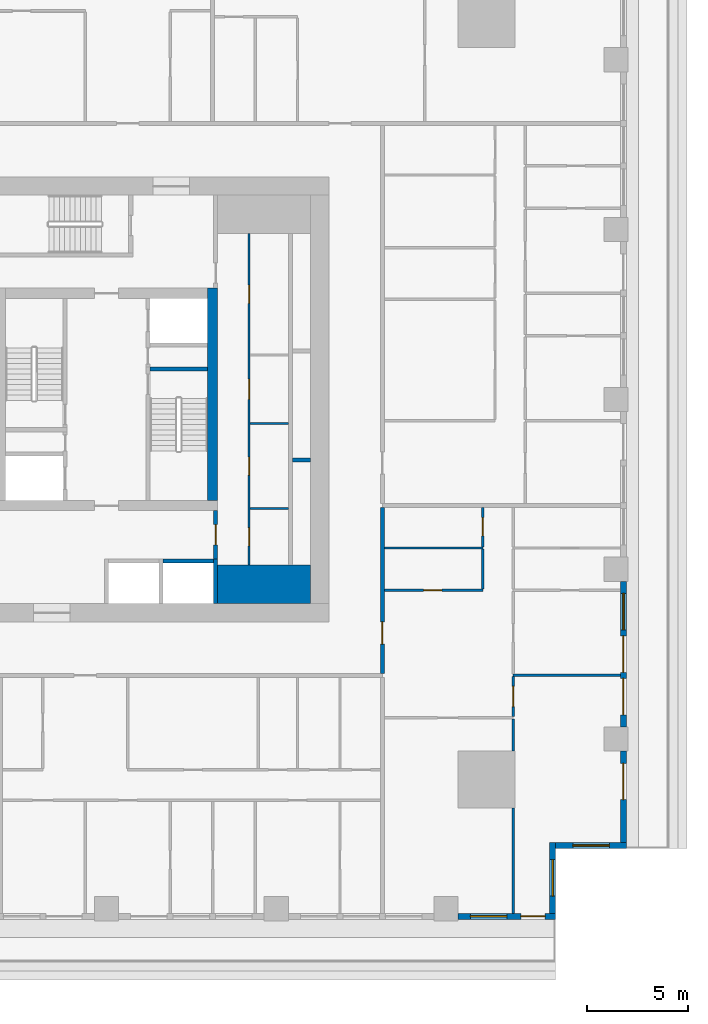
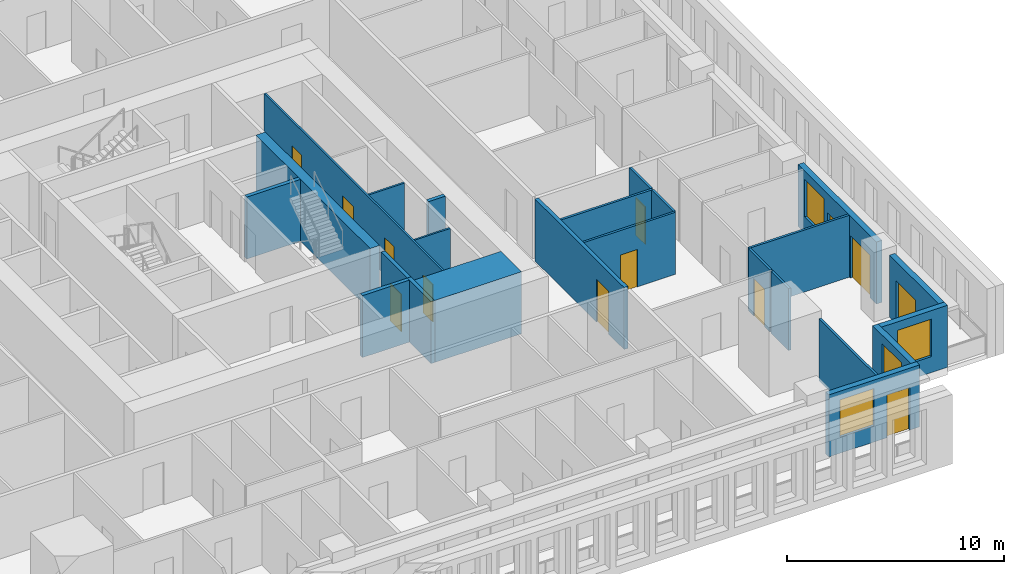
# One storey, part 5 of 15: 24 walls, 13 doors, 4 windows, 17 openings.
"""IFC4 building model written with IfcOpenShell, lengths in metres."""

from ifc_helpers import new_model, si_unit, direction, frame, frame_2d, origin, place, context, subcontext, project, spatial, rectangle, extrude, material, layer, layer_set, type_object, element, fill, save


model = new_model("IFC4")

# Units and contexts
model_context = context("Model", 3, precision=1e-05, world=origin(), true_north=direction((0.0, 1.0)))
body_context = subcontext(model_context, "Body", "Model", "MODEL_VIEW")
ifc_project = project(units=[si_unit("LENGTHUNIT", "METRE"), si_unit("AREAUNIT", "SQUARE_METRE"), si_unit("VOLUMEUNIT", "CUBIC_METRE"), si_unit("PLANEANGLEUNIT", "RADIAN"), si_unit("MASSUNIT", "GRAM", prefix="KILO")], contexts=[model_context])

# Site, building, storey
site_placement = place(None, origin())
site = spatial("IfcSite", under=ifc_project, at=site_placement, CompositionType="ELEMENT")
building_placement = place(site_placement, origin())
building = spatial("IfcBuilding", under=site, at=building_placement, Name="Khepri Terraces", CompositionType="ELEMENT")
storey_placement = place(building_placement, frame((0.0, 0.0, 98.699951171875)))
storey = spatial("IfcBuildingStorey", under=building, at=storey_placement, Name="L23", CompositionType="ELEMENT", Elevation=98.699951171875)

# Walls
ifc_material_1 = material(Name="Concrete C70/85", Category="concrete")
ifc_layer_1 = layer(ifc_material_1, 1.89990234375, Name="Concrete C70/85", Category="concrete")
ifc_layer_set_1 = layer_set([ifc_layer_1], Name="Concrete C70/85")
wall_type_1 = type_object("IfcWallType", Name="Core wall 1900 C70/85", PredefinedType="SHEAR", material=ifc_layer_set_1)
wall_1_placement = place(storey_placement, frame((5.5, -9.14990234375, 0.0), z_axis=(0.0, 0.0, 1.0), x_axis=(1.0, 0.0, 0.0)))
element("IfcWall", 1, at=wall_1_placement, inside=storey, type_object=wall_type_1, Name="Core wall PR02 L23", PredefinedType="SHEAR", context=body_context, shape_type="SweptSolid", body=[
    extrude(rectangle(XDim=4.60009765625, YDim=1.89990234375, at=frame_2d((2.300048828125, 0.0))), origin(), (0.0, 0.0, 1.0), 3.47998046875),
])
ifc_layer_2 = layer(ifc_material_1, 0.199951171875, Name="Concrete C70/85", Category="concrete")
ifc_layer_set_2 = layer_set([ifc_layer_2], Name="Concrete C70/85")
wall_type_2 = type_object("IfcWallType", Name="Core wall 200 C70/85", PredefinedType="SHEAR", material=ifc_layer_set_2)
wall_2_placement = place(storey_placement, frame((2.14990234375, 1.5, 0.0), z_axis=(0.0, 0.0, 1.0), x_axis=(1.0, 0.0, 0.0)))
element("IfcWall", 2, at=wall_2_placement, inside=storey, type_object=wall_type_2, Name="Core wall ST04 L23", PredefinedType="SHEAR", context=body_context, shape_type="SweptSolid", body=[
    extrude(rectangle(XDim=2.85009765625, YDim=0.199951171875, at=frame_2d((1.425048828125, 0.0))), origin(), (0.0, 0.0, 1.0), 3.47998046875),
])
wall_3_placement = place(storey_placement, frame((5.39990234375, -10.10009765625, 0.0), z_axis=(0.0, 0.0, 1.0), x_axis=(0.0, 1.0, 0.0)))
element("IfcWall", 3, at=wall_3_placement, inside=storey, type_object=wall_type_2, Name="Core wall SH03 L23", PredefinedType="SHEAR", context=body_context, shape_type="SweptSolid", body=[
    extrude(rectangle(XDim=2.2001953125, YDim=0.199951171875, at=frame_2d((1.10009765625, 0.0))), origin(), (0.0, 0.0, 1.0), 3.47998046875),
])
wall_4_placement = place(storey_placement, frame((2.800048828125, -8.0, 0.0), z_axis=(0.0, 0.0, 1.0), x_axis=(1.0, 0.0, 0.0)))
element("IfcWall", 4, at=wall_4_placement, inside=storey, type_object=wall_type_2, Name="Core wall SH07 L23", PredefinedType="SHEAR", context=body_context, shape_type="SweptSolid", body=[
    extrude(rectangle(XDim=2.5, YDim=0.199951171875, at=frame_2d((1.25, 0.0))), origin(), (0.0, 0.0, 1.0), 3.47998046875),
])
wall_5_placement = place(storey_placement, frame((9.199951171875, -3.0, 0.0), z_axis=(0.0, 0.0, 1.0), x_axis=(1.0, 0.0, 0.0)))
element("IfcWall", 5, at=wall_5_placement, inside=storey, type_object=wall_type_2, Name="Core wall SH11 L23", PredefinedType="SHEAR", context=body_context, shape_type="SweptSolid", body=[
    extrude(rectangle(XDim=0.900146484375, YDim=0.199951171875, at=frame_2d((0.4501953125, 0.0))), origin(), (0.0, 0.0, 1.0), 3.47998046875),
])
ifc_layer_3 = layer(ifc_material_1, 0.5, Name="Concrete C70/85", Category="concrete")
ifc_layer_set_3 = layer_set([ifc_layer_3], Name="Concrete C70/85")
wall_type_3 = type_object("IfcWallType", Name="Core wall 500 C70/85", PredefinedType="SHEAR", material=ifc_layer_set_3)
wall_6_placement = place(storey_placement, frame((5.25, -5.0, 0.0), z_axis=(0.0, 0.0, 1.0), x_axis=(0.0, 1.0, 0.0)))
element("IfcWall", 6, at=wall_6_placement, inside=storey, type_object=wall_type_3, Name="Core wall BX03 L23", PredefinedType="SHEAR", context=body_context, shape_type="SweptSolid", body=[
    extrude(rectangle(XDim=10.5, YDim=0.5, at=frame_2d((5.25, 0.0))), origin(), (0.0, 0.0, 1.0), 3.47998046875),
])

# Wall, openings, doors
ifc_material_2 = material(Name="Fire-rated gypsum board partition")
ifc_layer_4 = layer(ifc_material_2, 0.10009765625, Name="Fire-rated gypsum board partition")
ifc_layer_set_4 = layer_set([ifc_layer_4], Name="Fire-rated gypsum board partition")
wall_type_4 = type_object("IfcWallType", Name="WL-CORE-PART-100", PredefinedType="PARTITIONING", material=ifc_layer_set_4)
wall_7_placement = place(storey_placement, frame((7.050048828125, -8.199951171875, 0.0), z_axis=(0.0, 0.0, 1.0), x_axis=(0.0, 1.0, 0.0)))
wall_7 = element("IfcWall", 7, at=wall_7_placement, inside=storey, type_object=wall_type_4, Name="Core partition PT02 L23", PredefinedType="PARTITIONING", context=body_context, shape_type="SweptSolid", body=[
    extrude(rectangle(XDim=16.39990234375, YDim=0.10009765625, at=frame_2d((8.199951171875, 0.0))), origin(), (0.0, 0.0, 1.0), 3.47998046875),
])
opening_1_placement = place(wall_7_placement, frame((0.949951171875, 0.0, 0.0)))
opening_1 = element("IfcOpeningElement", 8, at=opening_1_placement, cuts=wall_7, Name="Opening L23-C22", PredefinedType="OPENING", context=body_context, shape_type="SweptSolid", body=[
    extrude(rectangle(XDim=0.89990234375, YDim=2.10009765625, at=frame_2d((0.449951171875, 1.050048828125))), frame((0.0, 0.06005859375, 0.0), z_axis=(0.0, -1.0, 0.0), x_axis=(1.0, 0.0, 0.0)), (0.0, 0.0, 1.0), 0.1201171875),
])
opening_2_placement = place(wall_7_placement, frame((4.449951171875, 0.0, 0.0)))
opening_2 = element("IfcOpeningElement", 9, at=opening_2_placement, cuts=wall_7, Name="Opening L23-C23", PredefinedType="OPENING", context=body_context, shape_type="SweptSolid", body=[
    extrude(rectangle(XDim=0.89990234375, YDim=2.10009765625, at=frame_2d((0.449951171875, 1.050048828125))), frame((0.0, 0.06005859375, 0.0), z_axis=(0.0, -1.0, 0.0), x_axis=(1.0, 0.0, 0.0)), (0.0, 0.0, 1.0), 0.1201171875),
])
opening_3_placement = place(wall_7_placement, frame((8.199951171875, 0.0, 0.0)))
opening_3 = element("IfcOpeningElement", 10, at=opening_3_placement, cuts=wall_7, Name="Opening L23-C24", PredefinedType="OPENING", context=body_context, shape_type="SweptSolid", body=[
    extrude(rectangle(XDim=1.0, YDim=2.10009765625, at=frame_2d((0.5, 1.050048828125))), frame((0.0, 0.06005859375, 0.0), z_axis=(0.0, -1.0, 0.0), x_axis=(1.0, 0.0, 0.0)), (0.0, 0.0, 1.0), 0.1201171875),
])
opening_4_placement = place(wall_7_placement, frame((12.949951171875, 0.0, 0.0)))
opening_4 = element("IfcOpeningElement", 11, at=opening_4_placement, cuts=wall_7, Name="Opening L23-C25", PredefinedType="OPENING", context=body_context, shape_type="SweptSolid", body=[
    extrude(rectangle(XDim=0.89990234375, YDim=2.10009765625, at=frame_2d((0.449951171875, 1.050048828125))), frame((0.0, 0.06005859375, 0.0), z_axis=(0.0, -1.0, 0.0), x_axis=(1.0, 0.0, 0.0)), (0.0, 0.0, 1.0), 0.1201171875),
])
ifc_material_3 = material(Name="Painted steel", Category="steel")
door_type_1 = type_object("IfcDoorType", Name="DR-CORE-SERVICE-900", OperationType="NOTDEFINED", PredefinedType="DOOR", material=ifc_material_3)
door_1_placement = place(opening_1_placement, frame((0.89990234375, 0.0, 0.0), z_axis=(0.0, 0.0, 1.0), x_axis=(-1.0, 0.0, 0.0)))
door_1 = element("IfcDoor", 12, at=door_1_placement, inside=storey, type_object=door_type_1, Name="Service room door L23-C22", OperationType="SINGLE_SWING_RIGHT", OverallHeight=2.10009765625, OverallWidth=0.89990234375, PredefinedType="DOOR", context=body_context, shape_type="SweptSolid", body=[
    extrude(rectangle(XDim=0.89990234375, YDim=2.10009765625, at=frame_2d((0.449951171875, 1.050048828125))), frame((0.0, 0.02490234375, 0.0), z_axis=(0.0, -1.0, 0.0), x_axis=(1.0, 0.0, 0.0)), (0.0, 0.0, 1.0), 0.050048828125),
])
fill(opening_1, door_1)
door_2_placement = place(opening_2_placement, frame((0.89990234375, 0.0, 0.0), z_axis=(0.0, 0.0, 1.0), x_axis=(-1.0, 0.0, 0.0)))
door_2 = element("IfcDoor", 13, at=door_2_placement, inside=storey, type_object=door_type_1, Name="Service room door L23-C23", OperationType="SINGLE_SWING_RIGHT", OverallHeight=2.10009765625, OverallWidth=0.89990234375, PredefinedType="DOOR", context=body_context, shape_type="SweptSolid", body=[
    extrude(rectangle(XDim=0.89990234375, YDim=2.10009765625, at=frame_2d((0.449951171875, 1.050048828125))), frame((0.0, 0.02490234375, 0.0), z_axis=(0.0, -1.0, 0.0), x_axis=(1.0, 0.0, 0.0)), (0.0, 0.0, 1.0), 0.050048828125),
])
fill(opening_2, door_2)
door_3_placement = place(opening_4_placement, frame((0.89990234375, 0.0, 0.0), z_axis=(0.0, 0.0, 1.0), x_axis=(-1.0, 0.0, 0.0)))
door_3 = element("IfcDoor", 14, at=door_3_placement, inside=storey, type_object=door_type_1, Name="Service room door L23-C25", OperationType="SINGLE_SWING_LEFT", OverallHeight=2.10009765625, OverallWidth=0.89990234375, PredefinedType="DOOR", context=body_context, shape_type="SweptSolid", body=[
    extrude(rectangle(XDim=0.89990234375, YDim=2.10009765625, at=frame_2d((0.449951171875, 1.050048828125))), frame((0.0, 0.02490234375, 0.0), z_axis=(0.0, -1.0, 0.0), x_axis=(1.0, 0.0, 0.0)), (0.0, 0.0, 1.0), 0.050048828125),
])
fill(opening_4, door_3)
ifc_material_4 = material(Name="Timber veneer", Category="wood")
door_type_2 = type_object("IfcDoorType", Name="DR-CORE-WC-1000", OperationType="NOTDEFINED", PredefinedType="DOOR", material=ifc_material_4)
door_4_placement = place(opening_3_placement, frame((1.0, 0.0, 0.0), z_axis=(0.0, 0.0, 1.0), x_axis=(-1.0, 0.0, 0.0)))
door_4 = element("IfcDoor", 15, at=door_4_placement, inside=storey, type_object=door_type_2, Name="WC door L23-C24", OperationType="SINGLE_SWING_LEFT", OverallHeight=2.10009765625, OverallWidth=1.0, PredefinedType="DOOR", context=body_context, shape_type="SweptSolid", body=[
    extrude(rectangle(XDim=1.0, YDim=2.10009765625, at=frame_2d((0.5, 1.050048828125))), frame((0.0, 0.02490234375, 0.0), z_axis=(0.0, -1.0, 0.0), x_axis=(1.0, 0.0, 0.0)), (0.0, 0.0, 1.0), 0.050048828125),
])
fill(opening_3, door_4)

# Walls
for number, where, z_axis, x_axis, name in (
    (16, (7.10009765625, -5.39990234375, 0.0), (0.0, 0.0, 1.0), (1.0, 0.0, 0.0), "Core partition PT04 L23"),
    (17, (7.10009765625, -1.199951171875, 0.0), (0.0, 0.0, 1.0), (1.0, 0.0, 0.0), "Core partition PT05 L23"),
):
    element("IfcWall", number, at=place(storey_placement, frame(where, z_axis=z_axis, x_axis=x_axis)), inside=storey, type_object=wall_type_4, Name=name, PredefinedType="PARTITIONING", context=body_context, shape_type="SweptSolid", body=[
        extrude(rectangle(XDim=1.89990234375, YDim=0.10009765625, at=frame_2d((0.949951171875, 0.0))), origin(), (0.0, 0.0, 1.0), 3.47998046875),
    ])

# Wall, opening, door
ifc_layer_5 = layer(ifc_material_2, 0.199951171875, Name="Fire-rated gypsum board partition")
ifc_layer_set_5 = layer_set([ifc_layer_5], Name="Fire-rated gypsum board partition")
wall_type_5 = type_object("IfcWallType", Name="WL-CORE-PART-200", PredefinedType="PARTITIONING", material=ifc_layer_set_5)
wall_8_placement = place(storey_placement, frame((5.39990234375, -7.89990234375, 0.0), z_axis=(0.0, 0.0, 1.0), x_axis=(0.0, 1.0, 0.0)))
wall_8 = element("IfcWall", 18, at=wall_8_placement, inside=storey, type_object=wall_type_5, Name="Core partition PT03 L23", PredefinedType="PARTITIONING", context=body_context, shape_type="SweptSolid", body=[
    extrude(rectangle(XDim=2.39990234375, YDim=0.199951171875, at=frame_2d((1.199951171875, 0.0))), origin(), (0.0, 0.0, 1.0), 3.47998046875),
])
opening_5_placement = place(wall_8_placement, frame((0.699951171875, 0.0, 0.0)))
opening_5 = element("IfcOpeningElement", 19, at=opening_5_placement, cuts=wall_8, Name="Opening L23-C19", PredefinedType="OPENING", context=body_context, shape_type="SweptSolid", body=[
    extrude(rectangle(XDim=1.0, YDim=2.10009765625, at=frame_2d((0.5, 1.050048828125))), frame((0.0, 0.10986328125, 0.0), z_axis=(0.0, -1.0, 0.0), x_axis=(1.0, 0.0, 0.0)), (0.0, 0.0, 1.0), 0.219970703125),
])
door_type_3 = type_object("IfcDoorType", Name="DR-CORE-LOBBY-1000", OperationType="NOTDEFINED", PredefinedType="DOOR", material=ifc_material_3)
door_5_placement = place(opening_5_placement, origin())
door_5 = element("IfcDoor", 20, at=door_5_placement, inside=storey, type_object=door_type_3, Name="Lobby door L23-C19", OperationType="SINGLE_SWING_RIGHT", OverallHeight=2.10009765625, OverallWidth=1.0, PredefinedType="DOOR", context=body_context, shape_type="SweptSolid", body=[
    extrude(rectangle(XDim=1.0, YDim=2.10009765625, at=frame_2d((0.5, 1.050048828125))), frame((0.0, 0.02490234375, 0.0), z_axis=(0.0, -1.0, 0.0), x_axis=(1.0, 0.0, 0.0)), (0.0, 0.0, 1.0), 0.050048828125),
])
fill(opening_5, door_5)

ifc_material_5 = material(Name="Fire-rated gypsum plasterboard partition, mineral wool")
ifc_layer_6 = layer(ifc_material_5, 0.199951171875, Name="Fire-rated gypsum plasterboard partition, mineral wool")
ifc_layer_set_6 = layer_set([ifc_layer_6], Name="Fire-rated gypsum plasterboard partition, mineral wool")
wall_type_6 = type_object("IfcWallType", Name="WL-CORR-200", PredefinedType="PARTITIONING", material=ifc_layer_set_6)
wall_9_placement = place(storey_placement, frame((13.64990234375, -13.550048828125, 0.0), z_axis=(0.0, 0.0, 1.0), x_axis=(0.0, 1.0, 0.0)))
wall_9 = element("IfcWall", 21, at=wall_9_placement, inside=storey, type_object=wall_type_6, Name="Partition P-035 L23", PredefinedType="PARTITIONING", context=body_context, shape_type="SweptSolid", body=[
    extrude(rectangle(XDim=8.199951171875, YDim=0.199951171875, at=frame_2d((4.10009765625, 0.0))), origin(), (0.0, 0.0, 1.0), 3.47998046875),
])
opening_6_placement = place(wall_9_placement, frame((1.449951171875, 0.0, 0.0)))
opening_6 = element("IfcOpeningElement", 22, at=opening_6_placement, cuts=wall_9, Name="Opening D1", PredefinedType="OPENING", context=body_context, shape_type="SweptSolid", body=[
    extrude(rectangle(XDim=1.10009765625, YDim=2.39990234375, at=frame_2d((0.550048828125, 1.199951171875))), frame((0.0, 0.10986328125, 0.0), z_axis=(0.0, -1.0, 0.0), x_axis=(1.0, 0.0, 0.0)), (0.0, 0.0, 1.0), 0.219970703125),
])
ifc_material_6 = material(Name="Solid-core timber door leaf, flat entrance door", Category="wood")
door_type_4 = type_object("IfcDoorType", Name="DR-ENT-1100", OperationType="NOTDEFINED", PredefinedType="DOOR", material=ifc_material_6)
door_6_placement = place(opening_6_placement, frame((1.10009765625, 0.0, 0.0), z_axis=(0.0, 0.0, 1.0), x_axis=(-1.0, 0.0, 0.0)))
door_6 = element("IfcDoor", 23, at=door_6_placement, inside=storey, type_object=door_type_4, Name="Flat B1 entrance door", OperationType="SINGLE_SWING_RIGHT", OverallHeight=2.39990234375, OverallWidth=1.10009765625, PredefinedType="DOOR", context=body_context, shape_type="SweptSolid", body=[
    extrude(rectangle(XDim=1.10009765625, YDim=2.39990234375, at=frame_2d((0.550048828125, 1.199951171875))), frame((0.0, 0.02490234375, 0.0), z_axis=(0.0, -1.0, 0.0), x_axis=(1.0, 0.0, 0.0)), (0.0, 0.0, 1.0), 0.050048828125),
])
fill(opening_6, door_6)

# Wall, opening, window
ifc_material_7 = material(Name="Precast concrete C50/60 warm stone", Category="masonry")
ifc_layer_7 = layer(ifc_material_7, 0.300048828125, Name="Precast concrete C50/60 warm stone", Category="masonry")
ifc_layer_set_7 = layer_set([ifc_layer_7], Name="Precast concrete C50/60 warm stone")
wall_type_7 = type_object("IfcWallType", Name="WL-EXT-PRECAST-300", PredefinedType="STANDARD", material=ifc_layer_set_7)
wall_10_placement = place(storey_placement, frame((22.219970703125, -22.070068359375, 0.0), z_axis=(0.0, 0.0, 1.0), x_axis=(1.0, 0.0, 0.0)))
wall_10 = element("IfcWall", 24, at=wall_10_placement, inside=storey, type_object=wall_type_7, Name="External wall L23 S", PredefinedType="STANDARD", context=body_context, shape_type="SweptSolid", body=[
    extrude(rectangle(XDim=3.5, YDim=0.300048828125, at=frame_2d((1.75, 0.0))), origin(), (0.0, 0.0, 1.0), 3.47998046875),
])
opening_7_placement = place(wall_10_placement, frame((0.85009765625, 0.0, 0.89990234375)))
opening_7 = element("IfcOpeningElement", 25, at=opening_7_placement, cuts=wall_10, Name="Opening W1", PredefinedType="OPENING", context=body_context, shape_type="SweptSolid", body=[
    extrude(rectangle(XDim=1.800048828125, YDim=2.10009765625, at=frame_2d((0.89990234375, 1.050048828125))), frame((0.0, 0.16015625, 0.0), z_axis=(0.0, -1.0, 0.0), x_axis=(1.0, 0.0, 0.0)), (0.0, 0.0, 1.0), 0.320068359375),
])
ifc_material_8 = material(Name="Clear glass", Category="glass")
window_type = type_object("IfcWindowType", Name="WIN-RES-1800x2100", PartitioningType="SINGLE_PANEL", PredefinedType="WINDOW", material=ifc_material_8)
window_1_placement = place(opening_7_placement, origin())
window_1 = element("IfcWindow", 26, at=window_1_placement, inside=storey, type_object=window_type, Name="Window L23 S", OverallHeight=2.10009765625, OverallWidth=1.800048828125, PartitioningType="SINGLE_PANEL", PredefinedType="WINDOW", context=body_context, shape_type="SweptSolid", body=[
    extrude(rectangle(XDim=1.800048828125, YDim=2.10009765625, at=frame_2d((0.89990234375, 1.050048828125))), frame((0.0, 0.030029296875, 0.0), z_axis=(0.0, -1.0, 0.0), x_axis=(1.0, 0.0, 0.0)), (0.0, 0.0, 1.0), 0.06005859375),
])
fill(opening_7, window_1)

# Wall, opening, door
wall_11_placement = place(storey_placement, frame((25.570068359375, -21.919921875, 0.0), z_axis=(0.0, 0.0, 1.0), x_axis=(0.0, 1.0, 0.0)))
wall_11 = element("IfcWall", 27, at=wall_11_placement, inside=storey, type_object=wall_type_7, Name="External wall L23 E", PredefinedType="STANDARD", context=body_context, shape_type="SweptSolid", body=[
    extrude(rectangle(XDim=4.52001953125, YDim=0.300048828125, at=frame_2d((2.260009765625, 0.0))), origin(), (0.0, 0.0, 1.0), 3.47998046875),
])
opening_8_placement = place(wall_11_placement, frame((2.1201171875, 0.0, 0.0)))
opening_8 = element("IfcOpeningElement", 28, at=opening_8_placement, cuts=wall_11, Name="Opening ED-L23-01", PredefinedType="OPENING", context=body_context, shape_type="SweptSolid", body=[
    extrude(rectangle(XDim=1.800048828125, YDim=2.39990234375, at=frame_2d((0.89990234375, 1.199951171875))), frame((0.0, 0.16015625, 0.0), z_axis=(0.0, -1.0, 0.0), x_axis=(1.0, 0.0, 0.0)), (0.0, 0.0, 1.0), 0.320068359375),
])
ifc_material_9 = material(Name="Anodised aluminium bronze glazed door", Category="aluminium")
door_type_5 = type_object("IfcDoorType", Name="DR-BAL-SLIDE-1800x2400", OperationType="NOTDEFINED", PredefinedType="DOOR", material=ifc_material_9)
door_7_placement = place(opening_8_placement, origin())
door_7 = element("IfcDoor", 29, at=door_7_placement, inside=storey, type_object=door_type_5, Name="Balcony door L23 E", OperationType="SLIDING_TO_RIGHT", OverallHeight=2.39990234375, OverallWidth=1.800048828125, PredefinedType="DOOR", context=body_context, shape_type="SweptSolid", body=[
    extrude(rectangle(XDim=1.800048828125, YDim=2.39990234375, at=frame_2d((0.89990234375, 1.199951171875))), frame((0.0, 0.02490234375, 0.0), z_axis=(0.0, -1.0, 0.0), x_axis=(1.0, 0.0, 0.0)), (0.0, 0.0, 1.0), 0.050048828125),
])
fill(opening_8, door_7)

# Wall, openings, doors, window
wall_12_placement = place(storey_placement, frame((25.570068359375, -16.199951171875, 0.0), z_axis=(0.0, 0.0, 1.0), x_axis=(0.0, 1.0, 0.0)))
wall_12 = element("IfcWall", 30, at=wall_12_placement, inside=storey, type_object=wall_type_7, Name="External wall L23 E", PredefinedType="STANDARD", context=body_context, shape_type="SweptSolid", body=[
    extrude(rectangle(XDim=7.199951171875, YDim=0.300048828125, at=frame_2d((3.60009765625, 0.0))), origin(), (0.0, 0.0, 1.0), 3.47998046875),
])
opening_9_placement = place(wall_12_placement, frame((0.60009765625, 0.0, 0.0)))
opening_9 = element("IfcOpeningElement", 31, at=opening_9_placement, cuts=wall_12, Name="Opening ED-L23-02", PredefinedType="OPENING", context=body_context, shape_type="SweptSolid", body=[
    extrude(rectangle(XDim=1.800048828125, YDim=2.39990234375, at=frame_2d((0.89990234375, 1.199951171875))), frame((0.0, 0.16015625, 0.0), z_axis=(0.0, -1.0, 0.0), x_axis=(1.0, 0.0, 0.0)), (0.0, 0.0, 1.0), 0.320068359375),
])
opening_10_placement = place(wall_12_placement, frame((2.699951171875, 0.0, 0.0)))
opening_10 = element("IfcOpeningElement", 32, at=opening_10_placement, cuts=wall_12, Name="Opening ED-L23-03", PredefinedType="OPENING", context=body_context, shape_type="SweptSolid", body=[
    extrude(rectangle(XDim=1.800048828125, YDim=2.39990234375, at=frame_2d((0.89990234375, 1.199951171875))), frame((0.0, 0.16015625, 0.0), z_axis=(0.0, -1.0, 0.0), x_axis=(1.0, 0.0, 0.0)), (0.0, 0.0, 1.0), 0.320068359375),
])
opening_11_placement = place(wall_12_placement, frame((4.800048828125, 0.0, 0.89990234375)))
opening_11 = element("IfcOpeningElement", 33, at=opening_11_placement, cuts=wall_12, Name="Opening W1", PredefinedType="OPENING", context=body_context, shape_type="SweptSolid", body=[
    extrude(rectangle(XDim=1.800048828125, YDim=2.10009765625, at=frame_2d((0.89990234375, 1.050048828125))), frame((0.0, 0.16015625, 0.0), z_axis=(0.0, -1.0, 0.0), x_axis=(1.0, 0.0, 0.0)), (0.0, 0.0, 1.0), 0.320068359375),
])
door_8_placement = place(opening_9_placement, origin())
door_8 = element("IfcDoor", 34, at=door_8_placement, inside=storey, type_object=door_type_5, Name="Balcony door L23 E", OperationType="SLIDING_TO_LEFT", OverallHeight=2.39990234375, OverallWidth=1.800048828125, PredefinedType="DOOR", context=body_context, shape_type="SweptSolid", body=[
    extrude(rectangle(XDim=1.800048828125, YDim=2.39990234375, at=frame_2d((0.89990234375, 1.199951171875))), frame((0.0, 0.02490234375, 0.0), z_axis=(0.0, -1.0, 0.0), x_axis=(1.0, 0.0, 0.0)), (0.0, 0.0, 1.0), 0.050048828125),
])
fill(opening_9, door_8)
door_9_placement = place(opening_10_placement, origin())
door_9 = element("IfcDoor", 35, at=door_9_placement, inside=storey, type_object=door_type_5, Name="Balcony door L23 E", OperationType="SLIDING_TO_RIGHT", OverallHeight=2.39990234375, OverallWidth=1.800048828125, PredefinedType="DOOR", context=body_context, shape_type="SweptSolid", body=[
    extrude(rectangle(XDim=1.800048828125, YDim=2.39990234375, at=frame_2d((0.89990234375, 1.199951171875))), frame((0.0, 0.02490234375, 0.0), z_axis=(0.0, -1.0, 0.0), x_axis=(1.0, 0.0, 0.0)), (0.0, 0.0, 1.0), 0.050048828125),
])
fill(opening_10, door_9)
window_2_placement = place(opening_11_placement, origin())
window_2 = element("IfcWindow", 36, at=window_2_placement, inside=storey, type_object=window_type, Name="Window L23 E", OverallHeight=2.10009765625, OverallWidth=1.800048828125, PartitioningType="SINGLE_PANEL", PredefinedType="WINDOW", context=body_context, shape_type="SweptSolid", body=[
    extrude(rectangle(XDim=1.800048828125, YDim=2.10009765625, at=frame_2d((0.89990234375, 1.050048828125))), frame((0.0, 0.030029296875, 0.0), z_axis=(0.0, -1.0, 0.0), x_axis=(1.0, 0.0, 0.0)), (0.0, 0.0, 1.0), 0.06005859375),
])
fill(opening_11, window_2)

# Wall, openings, door, window
wall_13_placement = place(storey_placement, frame((17.39990234375, -25.570068359375, 0.0), z_axis=(0.0, 0.0, 1.0), x_axis=(1.0, 0.0, 0.0)))
wall_13 = element("IfcWall", 37, at=wall_13_placement, inside=storey, type_object=wall_type_7, Name="External wall L23 S", PredefinedType="STANDARD", context=body_context, shape_type="SweptSolid", body=[
    extrude(rectangle(XDim=4.820068359375, YDim=0.300048828125, at=frame_2d((2.41015625, 0.0))), origin(), (0.0, 0.0, 1.0), 3.47998046875),
])
opening_12_placement = place(wall_13_placement, frame((0.60009765625, 0.0, 0.89990234375)))
opening_12 = element("IfcOpeningElement", 38, at=opening_12_placement, cuts=wall_13, Name="Opening W1", PredefinedType="OPENING", context=body_context, shape_type="SweptSolid", body=[
    extrude(rectangle(XDim=1.800048828125, YDim=2.10009765625, at=frame_2d((0.89990234375, 1.050048828125))), frame((0.0, 0.16015625, 0.0), z_axis=(0.0, -1.0, 0.0), x_axis=(1.0, 0.0, 0.0)), (0.0, 0.0, 1.0), 0.320068359375),
])
opening_13_placement = place(wall_13_placement, frame((3.094970703125, 0.0, 0.0)))
opening_13 = element("IfcOpeningElement", 39, at=opening_13_placement, cuts=wall_13, Name="Opening ED-L23-22", PredefinedType="OPENING", context=body_context, shape_type="SweptSolid", body=[
    extrude(rectangle(XDim=1.199951171875, YDim=2.39990234375, at=frame_2d((0.60009765625, 1.199951171875))), frame((0.0, 0.16015625, 0.0), z_axis=(0.0, -1.0, 0.0), x_axis=(1.0, 0.0, 0.0)), (0.0, 0.0, 1.0), 0.320068359375),
])
door_type_6 = type_object("IfcDoorType", Name="DR-BAL-SLIDE-1200x2400", OperationType="NOTDEFINED", PredefinedType="DOOR", material=ifc_material_9)
door_10_placement = place(opening_13_placement, origin())
door_10 = element("IfcDoor", 40, at=door_10_placement, inside=storey, type_object=door_type_6, Name="Balcony door L23 S", OperationType="SLIDING_TO_RIGHT", OverallHeight=2.39990234375, OverallWidth=1.199951171875, PredefinedType="DOOR", context=body_context, shape_type="SweptSolid", body=[
    extrude(rectangle(XDim=1.199951171875, YDim=2.39990234375, at=frame_2d((0.60009765625, 1.199951171875))), frame((0.0, 0.02490234375, 0.0), z_axis=(0.0, -1.0, 0.0), x_axis=(1.0, 0.0, 0.0)), (0.0, 0.0, 1.0), 0.050048828125),
])
fill(opening_13, door_10)
window_3_placement = place(opening_12_placement, origin())
window_3 = element("IfcWindow", 41, at=window_3_placement, inside=storey, type_object=window_type, Name="Window L23 S", OverallHeight=2.10009765625, OverallWidth=1.800048828125, PartitioningType="SINGLE_PANEL", PredefinedType="WINDOW", context=body_context, shape_type="SweptSolid", body=[
    extrude(rectangle(XDim=1.800048828125, YDim=2.10009765625, at=frame_2d((0.89990234375, 1.050048828125))), frame((0.0, 0.030029296875, 0.0), z_axis=(0.0, -1.0, 0.0), x_axis=(1.0, 0.0, 0.0)), (0.0, 0.0, 1.0), 0.06005859375),
])
fill(opening_12, window_3)

# Wall, opening, window
wall_14_placement = place(storey_placement, frame((22.070068359375, -25.419921875, 0.0), z_axis=(0.0, 0.0, 1.0), x_axis=(0.0, 1.0, 0.0)))
wall_14 = element("IfcWall", 42, at=wall_14_placement, inside=storey, type_object=wall_type_7, Name="External wall L23 E", PredefinedType="STANDARD", context=body_context, shape_type="SweptSolid", body=[
    extrude(rectangle(XDim=3.5, YDim=0.300048828125, at=frame_2d((1.75, 0.0))), origin(), (0.0, 0.0, 1.0), 3.47998046875),
])
opening_14_placement = place(wall_14_placement, frame((0.85009765625, 0.0, 0.89990234375)))
opening_14 = element("IfcOpeningElement", 43, at=opening_14_placement, cuts=wall_14, Name="Opening W1", PredefinedType="OPENING", context=body_context, shape_type="SweptSolid", body=[
    extrude(rectangle(XDim=1.800048828125, YDim=2.10009765625, at=frame_2d((0.89990234375, 1.050048828125))), frame((0.0, 0.16015625, 0.0), z_axis=(0.0, -1.0, 0.0), x_axis=(1.0, 0.0, 0.0)), (0.0, 0.0, 1.0), 0.320068359375),
])
window_4_placement = place(opening_14_placement, origin())
window_4 = element("IfcWindow", 44, at=window_4_placement, inside=storey, type_object=window_type, Name="Window L23 E", OverallHeight=2.10009765625, OverallWidth=1.800048828125, PartitioningType="SINGLE_PANEL", PredefinedType="WINDOW", context=body_context, shape_type="SweptSolid", body=[
    extrude(rectangle(XDim=1.800048828125, YDim=2.10009765625, at=frame_2d((0.89990234375, 1.050048828125))), frame((0.0, 0.030029296875, 0.0), z_axis=(0.0, -1.0, 0.0), x_axis=(1.0, 0.0, 0.0)), (0.0, 0.0, 1.0), 0.06005859375),
])
fill(opening_14, window_4)

# Walls
ifc_material_10 = material(Name="Gypsum plasterboard partition")
ifc_layer_8 = layer(ifc_material_10, 0.1201171875, Name="Gypsum plasterboard partition")
ifc_layer_set_8 = layer_set([ifc_layer_8], Name="Gypsum plasterboard partition")
wall_type_8 = type_object("IfcWallType", Name="WL-PART-120", PredefinedType="PARTITIONING", material=ifc_layer_set_8)
wall_15_placement = place(storey_placement, frame((20.1201171875, -25.419921875, 0.0), z_axis=(0.0, 0.0, 1.0), x_axis=(0.0, 1.0, 0.0)))
element("IfcWall", 45, at=wall_15_placement, inside=storey, type_object=wall_type_8, Name="Partition P-011 L23", PredefinedType="PARTITIONING", context=body_context, shape_type="SweptSolid", body=[
    extrude(rectangle(XDim=5.219970703125, YDim=0.1201171875, at=frame_2d((2.60986328125, 0.0))), origin(), (0.0, 0.0, 1.0), 3.47998046875),
])
wall_16_placement = place(storey_placement, frame((20.1201171875, -17.39990234375, 0.0), z_axis=(0.0, 0.0, 1.0), x_axis=(0.0, 1.0, 0.0)))
element("IfcWall", 46, at=wall_16_placement, inside=storey, type_object=wall_type_8, Name="Partition P-026 L23", PredefinedType="PARTITIONING", context=body_context, shape_type="SweptSolid", body=[
    extrude(rectangle(XDim=1.58984375, YDim=0.1201171875, at=frame_2d((0.794921875, 0.0))), origin(), (0.0, 0.0, 1.0), 3.47998046875),
])

# Wall, opening, door
wall_17_placement = place(storey_placement, frame((20.1201171875, -15.68994140625, 0.0), z_axis=(0.0, 0.0, 1.0), x_axis=(0.0, 1.0, 0.0)))
wall_17 = element("IfcWall", 47, at=wall_17_placement, inside=storey, type_object=wall_type_8, Name="Partition P-028 L23", PredefinedType="PARTITIONING", context=body_context, shape_type="SweptSolid", body=[
    extrude(rectangle(XDim=1.97998046875, YDim=0.1201171875, at=frame_2d((0.989990234375, 0.0))), origin(), (0.0, 0.0, 1.0), 3.47998046875),
])
opening_15_placement = place(wall_17_placement, frame((0.489990234375, 0.0, 0.0)))
opening_15 = element("IfcOpeningElement", 48, at=opening_15_placement, cuts=wall_17, Name="Opening D2", PredefinedType="OPENING", context=body_context, shape_type="SweptSolid", body=[
    extrude(rectangle(XDim=1.0, YDim=2.10009765625, at=frame_2d((0.5, 1.050048828125))), frame((0.0, 0.070068359375, 0.0), z_axis=(0.0, -1.0, 0.0), x_axis=(1.0, 0.0, 0.0)), (0.0, 0.0, 1.0), 0.14013671875),
])
ifc_material_11 = material(Name="Timber door leaf, living room door", Category="wood")
door_type_7 = type_object("IfcDoorType", Name="DR-INT-1000", OperationType="NOTDEFINED", PredefinedType="DOOR", material=ifc_material_11)
door_11_placement = place(opening_15_placement, frame((1.0, 0.0, 0.0), z_axis=(0.0, 0.0, 1.0), x_axis=(-1.0, 0.0, 0.0)))
door_11 = element("IfcDoor", 49, at=door_11_placement, inside=storey, type_object=door_type_7, Name="Door Living Room", OperationType="SINGLE_SWING_LEFT", OverallHeight=2.10009765625, OverallWidth=1.0, PredefinedType="DOOR", context=body_context, shape_type="SweptSolid", body=[
    extrude(rectangle(XDim=1.0, YDim=2.10009765625, at=frame_2d((0.5, 1.050048828125))), frame((0.0, 0.02490234375, 0.0), z_axis=(0.0, -1.0, 0.0), x_axis=(1.0, 0.0, 0.0)), (0.0, 0.0, 1.0), 0.050048828125),
])
fill(opening_15, door_11)

# Wall
wall_18_placement = place(storey_placement, frame((20.1201171875, -13.64990234375, 0.0), z_axis=(0.0, 0.0, 1.0), x_axis=(1.0, 0.0, 0.0)))
element("IfcWall", 50, at=wall_18_placement, inside=storey, type_object=wall_type_8, Name="Partition P-030 L23", PredefinedType="PARTITIONING", context=body_context, shape_type="SweptSolid", body=[
    extrude(rectangle(XDim=5.2998046875, YDim=0.1201171875, at=frame_2d((2.64990234375, 0.0))), origin(), (0.0, 0.0, 1.0), 3.47998046875),
])

# Wall, opening, door
wall_19_placement = place(storey_placement, frame((13.75, -9.449951171875, 0.0), z_axis=(0.0, 0.0, 1.0), x_axis=(1.0, 0.0, 0.0)))
wall_19 = element("IfcWall", 51, at=wall_19_placement, inside=storey, type_object=wall_type_8, Name="Partition P-038 L23", PredefinedType="PARTITIONING", context=body_context, shape_type="SweptSolid", body=[
    extrude(rectangle(XDim=4.8701171875, YDim=0.1201171875, at=frame_2d((2.43505859375, 0.0))), origin(), (0.0, 0.0, 1.0), 3.47998046875),
])
opening_16_placement = place(wall_19_placement, frame((1.93505859375, 0.0, 0.0)))
opening_16 = element("IfcOpeningElement", 52, at=opening_16_placement, cuts=wall_19, Name="Opening D4", PredefinedType="OPENING", context=body_context, shape_type="SweptSolid", body=[
    extrude(rectangle(XDim=0.89990234375, YDim=2.10009765625, at=frame_2d((0.449951171875, 1.050048828125))), frame((0.0, 0.070068359375, 0.0), z_axis=(0.0, -1.0, 0.0), x_axis=(1.0, 0.0, 0.0)), (0.0, 0.0, 1.0), 0.14013671875),
])
ifc_material_12 = material(Name="Timber door leaf, moisture resistant", Category="wood")
door_type_8 = type_object("IfcDoorType", Name="DR-WET-900", OperationType="NOTDEFINED", PredefinedType="DOOR", material=ifc_material_12)
door_12_placement = place(opening_16_placement, origin())
door_12 = element("IfcDoor", 53, at=door_12_placement, inside=storey, type_object=door_type_8, Name="Door Guest Bathroom", OperationType="SINGLE_SWING_LEFT", OverallHeight=2.10009765625, OverallWidth=0.89990234375, PredefinedType="DOOR", context=body_context, shape_type="SweptSolid", body=[
    extrude(rectangle(XDim=0.89990234375, YDim=2.10009765625, at=frame_2d((0.449951171875, 1.050048828125))), frame((0.0, 0.02490234375, 0.0), z_axis=(0.0, -1.0, 0.0), x_axis=(1.0, 0.0, 0.0)), (0.0, 0.0, 1.0), 0.050048828125),
])
fill(opening_16, door_12)

# Walls
wall_20_placement = place(storey_placement, frame((18.6201171875, -9.389892578125, 0.0), z_axis=(0.0, 0.0, 1.0), x_axis=(0.0, 1.0, 0.0)))
element("IfcWall", 54, at=wall_20_placement, inside=storey, type_object=wall_type_8, Name="Partition P-040 L23", PredefinedType="PARTITIONING", context=body_context, shape_type="SweptSolid", body=[
    extrude(rectangle(XDim=1.97998046875, YDim=0.1201171875, at=frame_2d((0.989990234375, 0.0))), origin(), (0.0, 0.0, 1.0), 3.47998046875),
])
wall_21_placement = place(storey_placement, frame((13.75, -7.35009765625, 0.0), z_axis=(0.0, 0.0, 1.0), x_axis=(1.0, 0.0, 0.0)))
element("IfcWall", 55, at=wall_21_placement, inside=storey, type_object=wall_type_8, Name="Partition P-045 L23", PredefinedType="PARTITIONING", context=body_context, shape_type="SweptSolid", body=[
    extrude(rectangle(XDim=4.8701171875, YDim=0.1201171875, at=frame_2d((2.43505859375, 0.0))), origin(), (0.0, 0.0, 1.0), 3.47998046875),
])

# Wall, opening, door
wall_22_placement = place(storey_placement, frame((18.6201171875, -7.2900390625, 0.0), z_axis=(0.0, 0.0, 1.0), x_axis=(0.0, 1.0, 0.0)))
wall_22 = element("IfcWall", 56, at=wall_22_placement, inside=storey, type_object=wall_type_8, Name="Partition P-047 L23", PredefinedType="PARTITIONING", context=body_context, shape_type="SweptSolid", body=[
    extrude(rectangle(XDim=1.93994140625, YDim=0.1201171875, at=frame_2d((0.969970703125, 0.0))), origin(), (0.0, 0.0, 1.0), 3.47998046875),
])
opening_17_placement = place(wall_22_placement, frame((0.5400390625, 0.0, 0.0)))
opening_17 = element("IfcOpeningElement", 57, at=opening_17_placement, cuts=wall_22, Name="Opening D3", PredefinedType="OPENING", context=body_context, shape_type="SweptSolid", body=[
    extrude(rectangle(XDim=0.89990234375, YDim=2.10009765625, at=frame_2d((0.449951171875, 1.050048828125))), frame((0.0, 0.070068359375, 0.0), z_axis=(0.0, -1.0, 0.0), x_axis=(1.0, 0.0, 0.0)), (0.0, 0.0, 1.0), 0.14013671875),
])
ifc_material_13 = material(Name="Timber door leaf", Category="wood")
door_type_9 = type_object("IfcDoorType", Name="DR-INT-900", OperationType="NOTDEFINED", PredefinedType="DOOR", material=ifc_material_13)
door_13_placement = place(opening_17_placement, origin())
door_13 = element("IfcDoor", 58, at=door_13_placement, inside=storey, type_object=door_type_9, Name="Door Kitchen", OperationType="SINGLE_SWING_RIGHT", OverallHeight=2.10009765625, OverallWidth=0.89990234375, PredefinedType="DOOR", context=body_context, shape_type="SweptSolid", body=[
    extrude(rectangle(XDim=0.89990234375, YDim=2.10009765625, at=frame_2d((0.449951171875, 1.050048828125))), frame((0.0, 0.02490234375, 0.0), z_axis=(0.0, -1.0, 0.0), x_axis=(1.0, 0.0, 0.0)), (0.0, 0.0, 1.0), 0.050048828125),
])
fill(opening_17, door_13)

save(model, "model.ifc")
